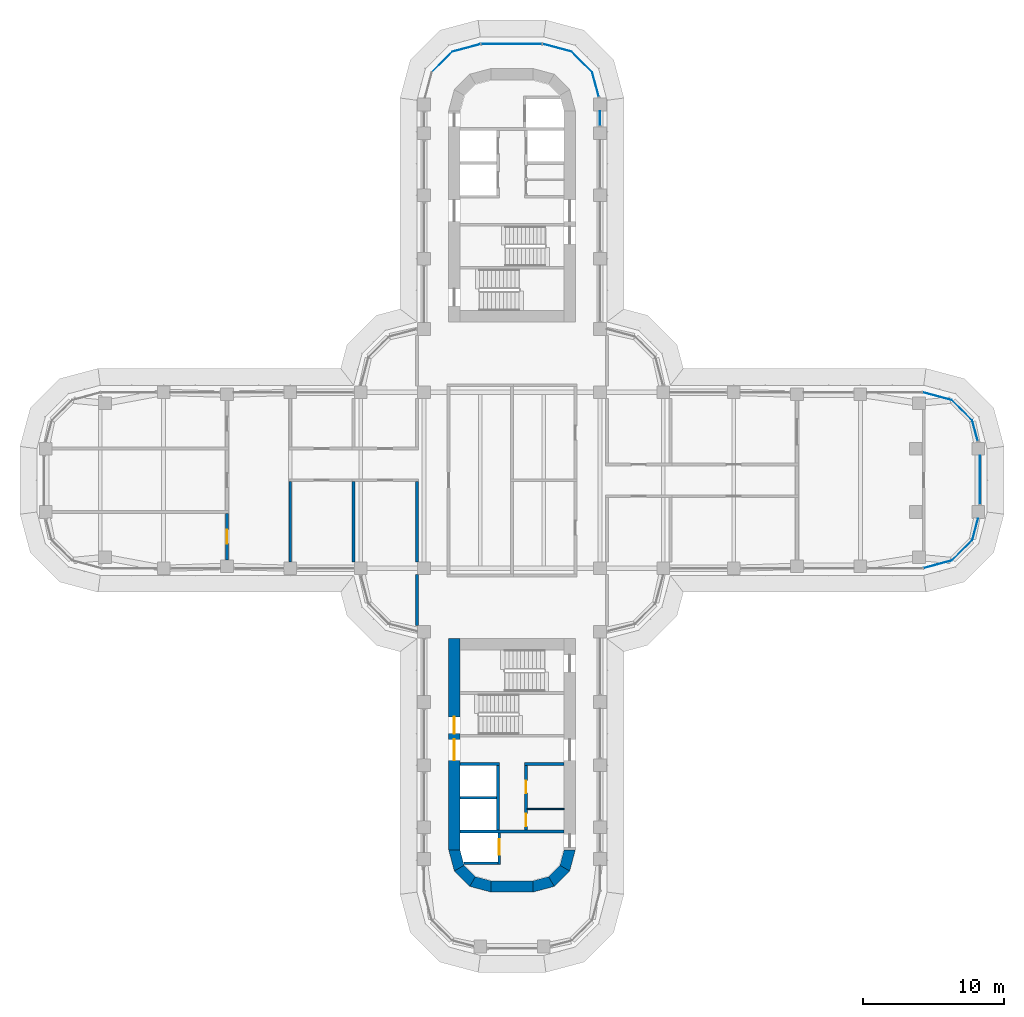
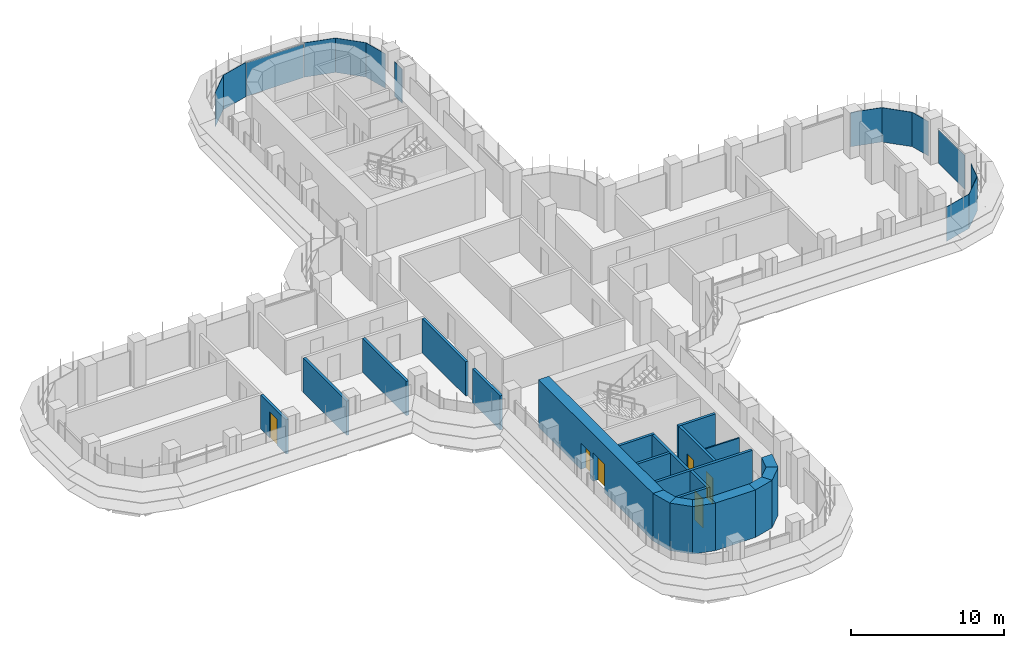
# One storey, part 15 of 22: 22 walls, 14 plates, 6 doors, 6 openings, 14 elements without a shape of their own.
"""IFC4 building model written with IfcOpenShell, lengths in metres."""

from ifc_helpers import new_model, si_unit, direction, frame, frame_2d, origin, place, context, subcontext, project, spatial, polyline, rectangle, outline, extrude, source, transform, mapped, material, layer, layer_set, type_object, element, fill, aggregate, save


model = new_model("IFC4")

# Units and contexts
model_context = context("Model", 3, precision=1e-05, world=origin(), true_north=direction((0.0, 1.0)))
body_context = subcontext(model_context, "Body", "Model", "MODEL_VIEW")
ifc_project = project(units=[si_unit("LENGTHUNIT", "METRE"), si_unit("AREAUNIT", "SQUARE_METRE"), si_unit("VOLUMEUNIT", "CUBIC_METRE"), si_unit("PLANEANGLEUNIT", "RADIAN"), si_unit("MASSUNIT", "GRAM", prefix="KILO")], contexts=[model_context])

# Site, building, storey
site_placement = place(None, origin())
site = spatial("IfcSite", under=ifc_project, at=site_placement, CompositionType="ELEMENT")
building_placement = place(site_placement, origin())
building = spatial("IfcBuilding", under=site, at=building_placement, Name="Zarbagh Exchange Tower", CompositionType="ELEMENT")
storey_placement = place(building_placement, frame((0.0, 0.0, 101.800048828125)))
storey = spatial("IfcBuildingStorey", under=building, at=storey_placement, Name="L23", CompositionType="ELEMENT", Elevation=101.800048828125)

# Curtain wall, plate
ifc_material_1 = material(Name="Anodised aluminium frame and glazing", Category="aluminium")
curtain_wall_type = type_object("IfcCurtainWallType", Name="CWA Ribbon glazing, lower zones", PredefinedType="NOTDEFINED", material=ifc_material_1)
curtain_wall_1_placement = place(storey_placement, origin())
curtain_wall_1 = element("IfcCurtainWall", 1, at=curtain_wall_1_placement, inside=storey, type_object=curtain_wall_type, Name="CWA13 curtain wall", PredefinedType="NOTDEFINED")
ifc_material_2 = material(Name="Low-e double glazed unit, 6+12+6 mm")
ifc_layer_1 = layer(ifc_material_2, 0.028076171875)
ifc_layer_set_1 = layer_set([ifc_layer_1], Name="PAA Glazing panel, Low-e double glazed unit, 6+12+6 mm")
plate_type = type_object("IfcPlateType", Name="PAA Glazing panel, Low-e double glazed unit, 6+12+6 mm", PredefinedType="CURTAIN_PANEL", material=ifc_layer_set_1)
shared_shape_1 = source(origin(), body_context, "Body", "SweptSolid", [
    extrude(outline(polyline([(0.0, -0.013916015625), (1.494140625, -0.013916015625), (1.494140625, 0.013916015625), (0.0, 0.013916015625), (0.0, -0.013916015625)])), origin(), (0.0, 0.0, 1.0), 2.75),
])
placement = place(storey_placement, origin())
plate_1 = element("IfcPlate", 2, at=placement, type_object=plate_type, Name="CWA13 glazing panel 1.1", PredefinedType="CURTAIN_PANEL", context=body_context, shape_type="MappedRepresentation", body=[
    mapped(shared_shape_1, transform((33.08544921875, 2.7978515625, 0.0), x_axis=(-0.258824779902, 0.965924289636, 0.0), y_axis=(-0.965924289636, -0.258824779902, 0.0), z_axis=(0.0, 0.0, 1.0))),
])
aggregate(curtain_wall_1, [plate_1])

curtain_wall_2_placement = place(storey_placement, origin())
curtain_wall_2 = element("IfcCurtainWall", 3, at=curtain_wall_2_placement, inside=storey, type_object=curtain_wall_type, Name="CWA10 curtain wall", PredefinedType="NOTDEFINED")
shared_shape_2 = source(origin(), body_context, "Body", "SweptSolid", [
    extrude(outline(polyline([(0.0, -0.013916015625), (2.061279296875, -0.013916015625), (2.061279296875, 0.013916015625), (0.0, 0.013916015625), (0.0, -0.013916015625)])), origin(), (0.0, 0.0, 1.0), 2.75),
])
plate_2 = element("IfcPlate", 4, at=placement, type_object=plate_type, Name="CWA10 glazing panel 1.1", PredefinedType="CURTAIN_PANEL", context=body_context, shape_type="MappedRepresentation", body=[
    mapped(shared_shape_2, transform((31.2412109375, -5.69873046875, 0.0), x_axis=(0.707106781187, 0.707106781187, 0.0), y_axis=(-0.707106781187, 0.707106781187, 0.0), z_axis=(0.0, 0.0, 1.0))),
])
aggregate(curtain_wall_2, [plate_2])

curtain_wall_3_placement = place(storey_placement, origin())
curtain_wall_3 = element("IfcCurtainWall", 5, at=curtain_wall_3_placement, inside=storey, type_object=curtain_wall_type, Name="CWA14 curtain wall", PredefinedType="NOTDEFINED")
plate_3 = element("IfcPlate", 6, at=placement, type_object=plate_type, Name="CWA14 glazing panel 1.1", PredefinedType="CURTAIN_PANEL", context=body_context, shape_type="MappedRepresentation", body=[
    mapped(shared_shape_2, transform((32.69873046875, 4.2412109375, 0.0), x_axis=(-0.707106781187, 0.707106781187, 0.0), y_axis=(-0.707106781187, -0.707106781187, 0.0), z_axis=(0.0, 0.0, 1.0))),
])
aggregate(curtain_wall_3, [plate_3])

curtain_wall_4_placement = place(storey_placement, origin())
curtain_wall_4 = element("IfcCurtainWall", 7, at=curtain_wall_4_placement, inside=storey, type_object=curtain_wall_type, Name="CWA51 curtain wall", PredefinedType="NOTDEFINED")
plate_4 = element("IfcPlate", 8, at=placement, type_object=plate_type, Name="CWA51 glazing panel 1.1", PredefinedType="CURTAIN_PANEL", context=body_context, shape_type="MappedRepresentation", body=[
    mapped(shared_shape_2, transform((5.69873046875, 28.9912109375, 0.0), x_axis=(-0.707106781187, 0.707106781187, 0.0), y_axis=(-0.707106781187, -0.707106781187, 0.0), z_axis=(0.0, 0.0, 1.0))),
])
aggregate(curtain_wall_4, [plate_4])

curtain_wall_5_placement = place(storey_placement, origin())
curtain_wall_5 = element("IfcCurtainWall", 9, at=curtain_wall_5_placement, inside=storey, type_object=curtain_wall_type, Name="CWA54 curtain wall", PredefinedType="NOTDEFINED")
plate_5 = element("IfcPlate", 10, at=placement, type_object=plate_type, Name="CWA54 glazing panel 1.1", PredefinedType="CURTAIN_PANEL", context=body_context, shape_type="MappedRepresentation", body=[
    mapped(shared_shape_2, transform((-4.2412109375, 30.44873046875, 0.0), x_axis=(-0.707106781187, -0.707106781187, 0.0), y_axis=(0.707106781187, -0.707106781187, 0.0), z_axis=(0.0, 0.0, 1.0))),
])
aggregate(curtain_wall_5, [plate_5])

curtain_wall_6_placement = place(storey_placement, origin())
curtain_wall_6 = element("IfcCurtainWall", 11, at=curtain_wall_6_placement, inside=storey, type_object=curtain_wall_type, Name="CWA15 curtain wall", PredefinedType="NOTDEFINED")
shared_shape_3 = source(origin(), body_context, "Body", "SweptSolid", [
    extrude(outline(polyline([(0.0, -0.013916015625), (2.129638671875, -0.013916015625), (2.129638671875, 0.013916015625), (0.0, 0.013916015625), (0.0, -0.013916015625)])), origin(), (0.0, 0.0, 1.0), 2.75),
])
plate_6 = element("IfcPlate", 12, at=placement, type_object=plate_type, Name="CWA15 glazing panel 1.1", PredefinedType="CURTAIN_PANEL", context=body_context, shape_type="MappedRepresentation", body=[
    mapped(shared_shape_3, transform((31.2412109375, 5.69873046875, 0.0), x_axis=(-0.965924289636, 0.258824779902, 0.0), y_axis=(-0.258824779902, -0.965924289636, 0.0), z_axis=(0.0, 0.0, 1.0))),
])
aggregate(curtain_wall_6, [plate_6])

curtain_wall_7_placement = place(storey_placement, origin())
curtain_wall_7 = element("IfcCurtainWall", 13, at=curtain_wall_7_placement, inside=storey, type_object=curtain_wall_type, Name="CWA52 curtain wall", PredefinedType="NOTDEFINED")
plate_7 = element("IfcPlate", 14, at=placement, type_object=plate_type, Name="CWA52 glazing panel 1.1", PredefinedType="CURTAIN_PANEL", context=body_context, shape_type="MappedRepresentation", body=[
    mapped(shared_shape_3, transform((4.2412109375, 30.44873046875, 0.0), x_axis=(-0.965924289636, 0.258824779902, 0.0), y_axis=(-0.258824779902, -0.965924289636, 0.0), z_axis=(0.0, 0.0, 1.0))),
])
aggregate(curtain_wall_7, [plate_7])

curtain_wall_8_placement = place(storey_placement, origin())
curtain_wall_8 = element("IfcCurtainWall", 15, at=curtain_wall_8_placement, inside=storey, type_object=curtain_wall_type, Name="CWA09 curtain wall", PredefinedType="NOTDEFINED")
shared_shape_4 = source(origin(), body_context, "Body", "SweptSolid", [
    extrude(outline(polyline([(0.0, -0.013916015625), (2.069580078125, -0.013916015625), (2.069580078125, 0.013916015625), (0.0, 0.013916015625), (0.0, -0.013916015625)])), origin(), (0.0, 0.0, 1.0), 2.75),
])
plate_8 = element("IfcPlate", 16, at=placement, type_object=plate_type, Name="CWA09 glazing panel 1.1", PredefinedType="CURTAIN_PANEL", context=body_context, shape_type="MappedRepresentation", body=[
    mapped(shared_shape_4, transform((29.2421875, -6.234375, 0.0), x_axis=(0.965924289636, 0.258824779902, 0.0), y_axis=(-0.258824779902, 0.965924289636, 0.0), z_axis=(0.0, 0.0, 1.0))),
])
aggregate(curtain_wall_8, [plate_8])

curtain_wall_9_placement = place(storey_placement, origin())
curtain_wall_9 = element("IfcCurtainWall", 17, at=curtain_wall_9_placement, inside=storey, type_object=curtain_wall_type, Name="CWA53 curtain wall", PredefinedType="NOTDEFINED")
plate_9 = element("IfcPlate", 18, at=placement, type_object=plate_type, Name="CWA53 glazing panel 1.1", PredefinedType="CURTAIN_PANEL", context=body_context, shape_type="MappedRepresentation", body=[
    mapped(shared_shape_4, transform((-2.2421875, 30.984375, 0.0), x_axis=(-0.965924289636, -0.258824779902, 0.0), y_axis=(0.258824779902, -0.965924289636, 0.0), z_axis=(0.0, 0.0, 1.0))),
])
aggregate(curtain_wall_9, [plate_9])

curtain_wall_10_placement = place(storey_placement, origin())
curtain_wall_10 = element("IfcCurtainWall", 19, at=curtain_wall_10_placement, inside=storey, type_object=curtain_wall_type, Name="CWA11 curtain wall", PredefinedType="NOTDEFINED")
shared_shape_5 = source(origin(), body_context, "Body", "SweptSolid", [
    extrude(outline(polyline([(0.0, -0.013916015625), (1.55419921875, -0.013916015625), (1.55419921875, 0.013916015625), (0.0, 0.013916015625), (0.0, -0.013916015625)])), origin(), (0.0, 0.0, 1.0), 2.75),
])
plate_10 = element("IfcPlate", 20, at=placement, type_object=plate_type, Name="CWA11 glazing panel 1.1", PredefinedType="CURTAIN_PANEL", context=body_context, shape_type="MappedRepresentation", body=[
    mapped(shared_shape_5, transform((32.69873046875, -4.2412109375, 0.0), x_axis=(0.258824779902, 0.965924289636, 0.0), y_axis=(-0.965924289636, 0.258824779902, 0.0), z_axis=(0.0, 0.0, 1.0))),
])
aggregate(curtain_wall_10, [plate_10])

curtain_wall_11_placement = place(storey_placement, origin())
curtain_wall_11 = element("IfcCurtainWall", 21, at=curtain_wall_11_placement, inside=storey, type_object=curtain_wall_type, Name="CWA12 curtain wall", PredefinedType="NOTDEFINED")
shared_shape_6 = source(origin(), body_context, "Body", "SweptSolid", [
    extrude(outline(polyline([(0.0, -0.013916015625), (3.4599609375, -0.013916015625), (3.4599609375, 0.013916015625), (0.0, 0.013916015625), (0.0, -0.013916015625)])), origin(), (0.0, 0.0, 1.0), 2.68994140625),
])
plate_11 = element("IfcPlate", 22, at=placement, type_object=plate_type, Name="CWA12 glazing panel 1.1", PredefinedType="CURTAIN_PANEL", context=body_context, shape_type="MappedRepresentation", body=[
    mapped(shared_shape_6, transform((33.25, -1.699951171875, 0.0), x_axis=(0.0, 1.0, 0.0), y_axis=(-1.0, 0.0, 0.0), z_axis=(0.0, 0.0, 1.0))),
])
aggregate(curtain_wall_11, [plate_11])

curtain_wall_12_placement = place(storey_placement, origin())
curtain_wall_12 = element("IfcCurtainWall", 23, at=curtain_wall_12_placement, inside=storey, type_object=curtain_wall_type, Name="CWA49 curtain wall", PredefinedType="NOTDEFINED")
shared_shape_7 = source(origin(), body_context, "Body", "SweptSolid", [
    extrude(outline(polyline([(0.0, -0.013916015625), (1.010009765625, -0.013916015625), (1.010009765625, 0.013916015625), (0.0, 0.013916015625), (0.0, -0.013916015625)])), origin(), (0.0, 0.0, 1.0), 2.75),
])
plate_12 = element("IfcPlate", 24, at=placement, type_object=plate_type, Name="CWA49 glazing panel 4.1", PredefinedType="CURTAIN_PANEL", context=body_context, shape_type="MappedRepresentation", body=[
    mapped(shared_shape_7, transform((6.25, 25.199951171875, 0.0), x_axis=(0.0, 1.0, 0.0), y_axis=(-1.0, 0.0, 0.0), z_axis=(0.0, 0.0, 1.0))),
])
aggregate(curtain_wall_12, [plate_12])

curtain_wall_13_placement = place(storey_placement, origin())
curtain_wall_13 = element("IfcCurtainWall", 25, at=curtain_wall_13_placement, inside=storey, type_object=curtain_wall_type, Name="CWA50 curtain wall", PredefinedType="NOTDEFINED")
shared_shape_8 = source(origin(), body_context, "Body", "SweptSolid", [
    extrude(outline(polyline([(0.0, -0.013916015625), (1.8046875, -0.013916015625), (1.8046875, 0.013916015625), (0.0, 0.013916015625), (0.0, -0.013916015625)])), origin(), (0.0, 0.0, 1.0), 2.75),
])
plate_13 = element("IfcPlate", 26, at=placement, type_object=plate_type, Name="CWA50 glazing panel 1.1", PredefinedType="CURTAIN_PANEL", context=body_context, shape_type="MappedRepresentation", body=[
    mapped(shared_shape_8, transform((6.166015625, 27.248046875, 0.0), x_axis=(-0.258824779902, 0.965924289636, 0.0), y_axis=(-0.965924289636, -0.258824779902, 0.0), z_axis=(0.0, 0.0, 1.0))),
])
aggregate(curtain_wall_13, [plate_13])

curtain_wall_14_placement = place(storey_placement, origin())
curtain_wall_14 = element("IfcCurtainWall", 27, at=curtain_wall_14_placement, inside=storey, type_object=curtain_wall_type, Name="CWA57 curtain wall", PredefinedType="NOTDEFINED")
shared_shape_9 = source(origin(), body_context, "Body", "SweptSolid", [
    extrude(outline(polyline([(0.0, -0.013916015625), (4.308349609375, -0.013916015625), (4.308349609375, 0.013916015625), (0.0, 0.013916015625), (0.0, -0.013916015625)])), origin(), (0.0, 0.0, 1.0), 2.68994140625),
])
plate_14 = element("IfcPlate", 28, at=placement, type_object=plate_type, Name="CWA57 glazing panel 1.1", PredefinedType="CURTAIN_PANEL", context=body_context, shape_type="MappedRepresentation", body=[
    mapped(shared_shape_9, transform((2.124267578125, 31.0, 0.0), x_axis=(-1.0, 0.0, 0.0), y_axis=(0.0, -1.0, 0.0), z_axis=(0.0, 0.0, 1.0))),
])
aggregate(curtain_wall_14, [plate_14])

# Walls
ifc_material_3 = material(Name="Dense blockwork", Category="masonry")
ifc_layer_2 = layer(ifc_material_3, 0.10009765625)
ifc_layer_set_2 = layer_set([ifc_layer_2], Name="Core partition 100 mm blockwork")
wall_type_1 = type_object("IfcWallType", Name="Core partition 100 mm blockwork", PredefinedType="PARTITIONING", material=ifc_layer_set_2)
wall_1_placement = place(storey_placement, frame((3.699951171875, -23.35009765625, 0.0), z_axis=(0.0, 0.0, 1.0), x_axis=(-1.0, 0.0, 0.0)))
element("IfcWall", 29, at=wall_1_placement, inside=storey, type_object=wall_type_1, Name="South core partition wall CUT-W-500", PredefinedType="PARTITIONING", context=body_context, shape_type="SweptSolid", body=[
    extrude(rectangle(XDim=2.599853515625, YDim=0.10009765625, at=frame_2d((1.2998046875, 0.0))), origin(), (0.0, 0.0, 1.0), 3.64990234375),
])
ifc_material_4 = material(Name="Fire-rated plasterboard partition")
ifc_layer_3 = layer(ifc_material_4, 0.199951171875)
ifc_layer_set_3 = layer_set([ifc_layer_3], Name="RATED PARTITION 200")
wall_type_2 = type_object("IfcWallType", Name="RATED PARTITION 200", PredefinedType="PARTITIONING", material=ifc_layer_set_3)
wall_2_placement = place(storey_placement, frame((-6.75, -10.300048828125, 0.0), z_axis=(0.0, 0.0, 1.0), x_axis=(0.0, 1.0, 0.0)))
element("IfcWall", 30, at=wall_2_placement, inside=storey, type_object=wall_type_2, Name="Partition W-804", PredefinedType="PARTITIONING", context=body_context, shape_type="SweptSolid", body=[
    extrude(rectangle(XDim=3.60009765625, YDim=0.199951171875, at=frame_2d((1.800048828125, 0.0))), origin(), (0.0, 0.0, 1.0), 2.738037109375),
])
for number, where, z_axis, x_axis, name in (
    (31, (-6.75, -5.800048828125, 0.0), (0.0, 0.0, 1.0), (0.0, 1.0, 0.0), "Partition W-805"),
    (32, (-11.25, -5.800048828125, 0.0), (0.0, 0.0, 1.0), (0.0, 1.0, 0.0), "Partition W-834"),
    (33, (-15.75, -5.800048828125, 0.0), (0.0, 0.0, 1.0), (0.0, 1.0, 0.0), "Partition W-836"),
):
    element("IfcWall", number, at=place(storey_placement, frame(where, z_axis=z_axis, x_axis=x_axis)), inside=storey, type_object=wall_type_2, Name=name, PredefinedType="PARTITIONING", context=body_context, shape_type="SweptSolid", body=[
        extrude(rectangle(XDim=5.699951171875, YDim=0.199951171875, at=frame_2d((2.85009765625, 0.0))), origin(), (0.0, 0.0, 1.0), 2.738037109375),
    ])

# Wall, opening, door
wall_3_placement = place(storey_placement, frame((-20.25, -5.659912109375, 0.0), z_axis=(0.0, 0.0, 1.0), x_axis=(0.0, 1.0, 0.0)))
wall_3 = element("IfcWall", 34, at=wall_3_placement, inside=storey, type_object=wall_type_2, Name="Partition W-837", PredefinedType="PARTITIONING", context=body_context, shape_type="SweptSolid", body=[
    extrude(rectangle(XDim=3.309814453125, YDim=0.199951171875, at=frame_2d((1.65478515625, 0.0))), origin(), (0.0, 0.0, 1.0), 2.738037109375),
])
opening_1_placement = place(wall_3_placement, frame((1.155029296875, 0.0, 0.0)))
opening_1 = element("IfcOpeningElement", 35, at=opening_1_placement, cuts=wall_3, Name="Opening D-814", PredefinedType="OPENING", context=body_context, shape_type="SweptSolid", body=[
    extrude(rectangle(XDim=1.0, YDim=2.10009765625, at=frame_2d((0.5, 1.050048828125))), frame((0.0, 0.10986328125, 0.0), z_axis=(0.0, -1.0, 0.0), x_axis=(1.0, 0.0, 0.0)), (0.0, 0.0, 1.0), 0.219970703125),
])
ifc_material_5 = material(Name="Steel door set", Category="steel")
door_type_1 = type_object("IfcDoorType", Name="FIRE DOOR 1000 X 2100 FD30S", OperationType="NOTDEFINED", PredefinedType="DOOR", material=ifc_material_5)
door_1_placement = place(opening_1_placement, origin())
door_1 = element("IfcDoor", 36, at=door_1_placement, inside=storey, type_object=door_type_1, Name="Door D-814", OperationType="SINGLE_SWING_RIGHT", OverallHeight=2.10009765625, OverallWidth=1.0, PredefinedType="DOOR", context=body_context, shape_type="SweptSolid", body=[
    extrude(rectangle(XDim=1.0, YDim=2.10009765625, at=frame_2d((0.5, 1.050048828125))), frame((0.0, 0.02490234375, 0.0), z_axis=(0.0, -1.0, 0.0), x_axis=(1.0, 0.0, 0.0)), (0.0, 0.0, 1.0), 0.050048828125),
])
fill(opening_1, door_1)

# Walls
ifc_material_6 = material(Name="Concrete C60/75", Category="concrete")
ifc_layer_4 = layer(ifc_material_6, 0.800048828125)
ifc_layer_set_4 = layer_set([ifc_layer_4], Name="RC core corner wall 800 C60/75")
wall_type_3 = type_object("IfcWallType", Name="RC core corner wall 800 C60/75", PredefinedType="SHEAR", material=ifc_layer_set_4)
wall_4_placement = place(storey_placement, origin())
element("IfcWall", 37, at=wall_4_placement, inside=storey, type_object=wall_type_3, Name="CW4 core S corner W", PredefinedType="SHEAR", context=body_context, shape_type="SweptSolid", body=[
    extrude(outline(polyline([(-4.5, -26.25), (-4.09814453125, -27.75), (-3.4052734375, -27.35009765625), (-3.699951171875, -26.25), (-4.5, -26.25)])), origin(), (0.0, 0.0, 1.0), 3.800048828125),
])
wall_5_placement = place(storey_placement, origin())
element("IfcWall", 38, at=wall_5_placement, inside=storey, type_object=wall_type_3, Name="CW4 core S corner W", PredefinedType="SHEAR", context=body_context, shape_type="SweptSolid", body=[
    extrude(outline(polyline([(-4.09814453125, -27.75), (-3.0, -28.84814453125), (-2.60009765625, -28.1552734375), (-3.4052734375, -27.35009765625), (-4.09814453125, -27.75)])), origin(), (0.0, 0.0, 1.0), 3.800048828125),
])
wall_6_placement = place(storey_placement, origin())
element("IfcWall", 39, at=wall_6_placement, inside=storey, type_object=wall_type_3, Name="CW4 core S corner W", PredefinedType="SHEAR", context=body_context, shape_type="SweptSolid", body=[
    extrude(outline(polyline([(-3.0, -28.84814453125), (-1.5, -29.25), (-1.5, -28.449951171875), (-2.60009765625, -28.1552734375), (-3.0, -28.84814453125)])), origin(), (0.0, 0.0, 1.0), 3.800048828125),
])
wall_7_placement = place(storey_placement, origin())
element("IfcWall", 40, at=wall_7_placement, inside=storey, type_object=wall_type_3, Name="CW4 core S corner E", PredefinedType="SHEAR", context=body_context, shape_type="SweptSolid", body=[
    extrude(outline(polyline([(4.5, -26.25), (4.09814453125, -27.75), (3.4052734375, -27.35009765625), (3.699951171875, -26.25), (4.5, -26.25)])), origin(), (0.0, 0.0, 1.0), 3.800048828125),
])
wall_8_placement = place(storey_placement, origin())
element("IfcWall", 41, at=wall_8_placement, inside=storey, type_object=wall_type_3, Name="CW4 core S corner E", PredefinedType="SHEAR", context=body_context, shape_type="SweptSolid", body=[
    extrude(outline(polyline([(4.09814453125, -27.75), (3.0, -28.84814453125), (2.60009765625, -28.1552734375), (3.4052734375, -27.35009765625), (4.09814453125, -27.75)])), origin(), (0.0, 0.0, 1.0), 3.800048828125),
])
wall_9_placement = place(storey_placement, origin())
element("IfcWall", 42, at=wall_9_placement, inside=storey, type_object=wall_type_3, Name="CW4 core S corner E", PredefinedType="SHEAR", context=body_context, shape_type="SweptSolid", body=[
    extrude(outline(polyline([(3.0, -28.84814453125), (1.5, -29.25), (1.5, -28.449951171875), (2.60009765625, -28.1552734375), (3.0, -28.84814453125)])), origin(), (0.0, 0.0, 1.0), 3.800048828125),
])

# Wall, openings, doors
ifc_layer_5 = layer(ifc_material_6, 0.800048828125)
ifc_layer_set_5 = layer_set([ifc_layer_5], Name="RC core wall 800 C60/75")
wall_type_4 = type_object("IfcWallType", Name="RC core wall 800 C60/75", PredefinedType="SHEAR", material=ifc_layer_set_5)
wall_10_placement = place(storey_placement, frame((-4.10009765625, -11.25, 0.0), z_axis=(0.0, 0.0, 1.0), x_axis=(0.0, -1.0, 0.0)))
wall_10 = element("IfcWall", 43, at=wall_10_placement, inside=storey, type_object=wall_type_4, Name="CW3 core S W", PredefinedType="SHEAR", context=body_context, shape_type="SweptSolid", body=[
    extrude(rectangle(XDim=15.0, YDim=0.800048828125, at=frame_2d((7.5, 0.0))), origin(), (0.0, 0.0, 1.0), 3.800048828125),
])
opening_2_placement = place(wall_10_placement, frame((7.14990234375, 0.0, 0.0)))
opening_2 = element("IfcOpeningElement", 44, at=opening_2_placement, cuts=wall_10, Name="Opening CD1-1500", PredefinedType="OPENING", context=body_context, shape_type="SweptSolid", body=[
    extrude(rectangle(XDim=1.5, YDim=2.300048828125, at=frame_2d((0.75, 1.14990234375))), frame((0.0, 0.409912109375, 0.0), z_axis=(0.0, -1.0, 0.0), x_axis=(1.0, 0.0, 0.0)), (0.0, 0.0, 1.0), 0.820068359375),
])
opening_3_placement = place(wall_10_placement, frame((5.550048828125, 0.0, 0.0)))
opening_3 = element("IfcOpeningElement", 45, at=opening_3_placement, cuts=wall_10, Name="Opening SD1-1200", PredefinedType="OPENING", context=body_context, shape_type="SweptSolid", body=[
    extrude(rectangle(XDim=1.199951171875, YDim=2.10009765625, at=frame_2d((0.60009765625, 1.050048828125))), frame((0.0, 0.409912109375, 0.0), z_axis=(0.0, -1.0, 0.0), x_axis=(1.0, 0.0, 0.0)), (0.0, 0.0, 1.0), 0.820068359375),
])
ifc_material_7 = material(Name="Steel", Category="steel")
door_type_2 = type_object("IfcDoorType", Name="Exit stair door 1200 x 2100", OperationType="NOTDEFINED", PredefinedType="DOOR", material=ifc_material_7)
door_2_placement = place(opening_3_placement, origin())
door_2 = element("IfcDoor", 46, at=door_2_placement, inside=storey, type_object=door_type_2, Name="South core stair door ST1", OperationType="SINGLE_SWING_RIGHT", OverallHeight=2.10009765625, OverallWidth=1.199951171875, PredefinedType="DOOR", context=body_context, shape_type="SweptSolid", body=[
    extrude(rectangle(XDim=1.199951171875, YDim=2.10009765625, at=frame_2d((0.60009765625, 1.050048828125))), frame((0.0, 0.02490234375, 0.0), z_axis=(0.0, -1.0, 0.0), x_axis=(1.0, 0.0, 0.0)), (0.0, 0.0, 1.0), 0.050048828125),
])
fill(opening_3, door_2)
door_type_3 = type_object("IfcDoorType", Name="Lift lobby double door 1500 x 2300", OperationType="NOTDEFINED", PredefinedType="DOOR", material=ifc_material_7)
door_3_placement = place(opening_2_placement, origin())
door_3 = element("IfcDoor", 47, at=door_3_placement, inside=storey, type_object=door_type_3, Name="South core lift lobby door LOBBY-E", OperationType="DOUBLE_DOOR_SINGLE_SWING", OverallHeight=2.300048828125, OverallWidth=1.5, PredefinedType="DOOR", context=body_context, shape_type="SweptSolid", body=[
    extrude(rectangle(XDim=1.5, YDim=2.300048828125, at=frame_2d((0.75, 1.14990234375))), frame((0.0, 0.02490234375, 0.0), z_axis=(0.0, -1.0, 0.0), x_axis=(1.0, 0.0, 0.0)), (0.0, 0.0, 1.0), 0.050048828125),
])
fill(opening_2, door_3)

# Walls
wall_11_placement = place(storey_placement, frame((-1.5, -28.85009765625, 0.0), z_axis=(0.0, 0.0, 1.0), x_axis=(1.0, 0.0, 0.0)))
element("IfcWall", 48, at=wall_11_placement, inside=storey, type_object=wall_type_4, Name="CW3 core S outer end", PredefinedType="SHEAR", context=body_context, shape_type="SweptSolid", body=[
    extrude(rectangle(XDim=3.0, YDim=0.800048828125, at=frame_2d((1.5, 0.0))), origin(), (0.0, 0.0, 1.0), 3.800048828125),
])
ifc_layer_6 = layer(ifc_material_3, 0.199951171875)
ifc_layer_set_6 = layer_set([ifc_layer_6], Name="Shaft wall 200 mm blockwork")
wall_type_5 = type_object("IfcWallType", Name="Shaft wall 200 mm blockwork", PredefinedType="PARTITIONING", material=ifc_layer_set_6)
wall_12_placement = place(storey_placement, frame((3.699951171875, -20.14990234375, 0.0), z_axis=(0.0, 0.0, 1.0), x_axis=(-1.0, 0.0, 0.0)))
element("IfcWall", 49, at=wall_12_placement, inside=storey, type_object=wall_type_5, Name="South core shaft wall AB-W", PredefinedType="PARTITIONING", context=body_context, shape_type="SweptSolid", body=[
    extrude(rectangle(XDim=2.800048828125, YDim=0.199951171875, at=frame_2d((1.39990234375, 0.0))), origin(), (0.0, 0.0, 1.0), 3.64990234375),
])

# Wall, openings, doors
wall_13_placement = place(storey_placement, frame((1.0, -24.85009765625, 0.0), z_axis=(0.0, 0.0, 1.0), x_axis=(0.0, 1.0, 0.0)))
wall_13 = element("IfcWall", 50, at=wall_13_placement, inside=storey, type_object=wall_type_5, Name="South core shaft wall LW-W", PredefinedType="PARTITIONING", context=body_context, shape_type="SweptSolid", body=[
    extrude(rectangle(XDim=4.60009765625, YDim=0.199951171875, at=frame_2d((2.300048828125, 0.0))), origin(), (0.0, 0.0, 1.0), 3.64990234375),
])
opening_4_placement = place(wall_13_placement, frame((0.27490234375, 0.0, 0.0)))
opening_4 = element("IfcOpeningElement", 51, at=opening_4_placement, cuts=wall_13, Name="Opening CD3-900", PredefinedType="OPENING", context=body_context, shape_type="SweptSolid", body=[
    extrude(rectangle(XDim=0.89990234375, YDim=2.10009765625, at=frame_2d((0.449951171875, 1.050048828125))), frame((0.0, 0.10986328125, 0.0), z_axis=(0.0, -1.0, 0.0), x_axis=(1.0, 0.0, 0.0)), (0.0, 0.0, 1.0), 0.219970703125),
])
opening_5_placement = place(wall_13_placement, frame((2.625, 0.0, 0.0)))
opening_5 = element("IfcOpeningElement", 52, at=opening_5_placement, cuts=wall_13, Name="Opening CD3-900", PredefinedType="OPENING", context=body_context, shape_type="SweptSolid", body=[
    extrude(rectangle(XDim=0.89990234375, YDim=2.10009765625, at=frame_2d((0.449951171875, 1.050048828125))), frame((0.0, 0.10986328125, 0.0), z_axis=(0.0, -1.0, 0.0), x_axis=(1.0, 0.0, 0.0)), (0.0, 0.0, 1.0), 0.219970703125),
])
door_type_4 = type_object("IfcDoorType", Name="Core room door 900 x 2100", OperationType="NOTDEFINED", PredefinedType="DOOR", material=ifc_material_7)
door_4_placement = place(opening_4_placement, origin())
door_4 = element("IfcDoor", 53, at=door_4_placement, inside=storey, type_object=door_type_4, Name="South core Cleaner's store door RD-W-0", OperationType="SINGLE_SWING_RIGHT", OverallHeight=2.10009765625, OverallWidth=0.89990234375, PredefinedType="DOOR", context=body_context, shape_type="SweptSolid", body=[
    extrude(rectangle(XDim=0.89990234375, YDim=2.10009765625, at=frame_2d((0.449951171875, 1.050048828125))), frame((0.0, 0.02490234375, 0.0), z_axis=(0.0, -1.0, 0.0), x_axis=(1.0, 0.0, 0.0)), (0.0, 0.0, 1.0), 0.050048828125),
])
fill(opening_4, door_4)
door_5_placement = place(opening_5_placement, origin())
door_5 = element("IfcDoor", 54, at=door_5_placement, inside=storey, type_object=door_type_4, Name="South core Accessible WC door RD-W-1", OperationType="SINGLE_SWING_RIGHT", OverallHeight=2.10009765625, OverallWidth=0.89990234375, PredefinedType="DOOR", context=body_context, shape_type="SweptSolid", body=[
    extrude(rectangle(XDim=0.89990234375, YDim=2.10009765625, at=frame_2d((0.449951171875, 1.050048828125))), frame((0.0, 0.02490234375, 0.0), z_axis=(0.0, -1.0, 0.0), x_axis=(1.0, 0.0, 0.0)), (0.0, 0.0, 1.0), 0.050048828125),
])
fill(opening_5, door_5)

# Walls
wall_14_placement = place(storey_placement, frame((-0.89990234375, -20.14990234375, 0.0), z_axis=(0.0, 0.0, 1.0), x_axis=(-1.0, 0.0, 0.0)))
element("IfcWall", 55, at=wall_14_placement, inside=storey, type_object=wall_type_5, Name="South core shaft wall AB-E", PredefinedType="PARTITIONING", context=body_context, shape_type="SweptSolid", body=[
    extrude(rectangle(XDim=2.800048828125, YDim=0.199951171875, at=frame_2d((1.39990234375, 0.0))), origin(), (0.0, 0.0, 1.0), 3.64990234375),
])
wall_15_placement = place(storey_placement, frame((-1.0, -24.85009765625, 0.0), z_axis=(0.0, 0.0, 1.0), x_axis=(0.0, 1.0, 0.0)))
element("IfcWall", 56, at=wall_15_placement, inside=storey, type_object=wall_type_5, Name="South core shaft wall LW-E", PredefinedType="PARTITIONING", context=body_context, shape_type="SweptSolid", body=[
    extrude(rectangle(XDim=4.60009765625, YDim=0.199951171875, at=frame_2d((2.300048828125, 0.0))), origin(), (0.0, 0.0, 1.0), 3.64990234375),
])
wall_16_placement = place(storey_placement, frame((-1.10009765625, -22.550048828125, 0.0), z_axis=(0.0, 0.0, 1.0), x_axis=(-1.0, 0.0, 0.0)))
element("IfcWall", 57, at=wall_16_placement, inside=storey, type_object=wall_type_5, Name="South core shaft wall TR-E", PredefinedType="PARTITIONING", context=body_context, shape_type="SweptSolid", body=[
    extrude(rectangle(XDim=2.599853515625, YDim=0.199951171875, at=frame_2d((1.2998046875, 0.0))), origin(), (0.0, 0.0, 1.0), 3.64990234375),
])
ifc_material_8 = material(Name="Concrete C40/50", Category="concrete")
ifc_layer_7 = layer(ifc_material_8, 0.199951171875)
ifc_layer_set_7 = layer_set([ifc_layer_7], Name="Stair enclosure wall 200 mm RC C40/50")
wall_type_6 = type_object("IfcWallType", Name="Stair enclosure wall 200 mm RC C40/50", PredefinedType="SHEAR", material=ifc_layer_set_7)
wall_17_placement = place(storey_placement, frame((3.699951171875, -24.949951171875, 0.0), z_axis=(0.0, 0.0, 1.0), x_axis=(-1.0, 0.0, 0.0)))
element("IfcWall", 58, at=wall_17_placement, inside=storey, type_object=wall_type_6, Name="South core lift shaft wall FFA", PredefinedType="SHEAR", context=body_context, shape_type="SweptSolid", body=[
    extrude(rectangle(XDim=7.39990234375, YDim=0.199951171875, at=frame_2d((3.699951171875, 0.0))), origin(), (0.0, 0.0, 1.0), 3.64990234375),
])

# Wall, opening, door
wall_18_placement = place(storey_placement, frame((-0.89990234375, -27.300048828125, 0.0), z_axis=(0.0, 0.0, 1.0), x_axis=(0.0, 1.0, 0.0)))
wall_18 = element("IfcWall", 59, at=wall_18_placement, inside=storey, type_object=wall_type_6, Name="South core lift shaft wall FFL", PredefinedType="SHEAR", context=body_context, shape_type="SweptSolid", body=[
    extrude(rectangle(XDim=2.25, YDim=0.199951171875, at=frame_2d((1.125, 0.0))), origin(), (0.0, 0.0, 1.0), 3.64990234375),
])
opening_6_placement = place(wall_18_placement, frame((0.699951171875, 0.0, 0.0)))
opening_6 = element("IfcOpeningElement", 60, at=opening_6_placement, cuts=wall_18, Name="Opening LD-1100", PredefinedType="OPENING", context=body_context, shape_type="SweptSolid", body=[
    extrude(rectangle(XDim=1.10009765625, YDim=2.300048828125, at=frame_2d((0.550048828125, 1.14990234375))), frame((0.0, 0.10986328125, 0.0), z_axis=(0.0, -1.0, 0.0), x_axis=(1.0, 0.0, 0.0)), (0.0, 0.0, 1.0), 0.219970703125),
])
ifc_material_9 = material(Name="Stainless steel", Category="steel")
door_type_5 = type_object("IfcDoorType", Name="Lift landing door 1100 x 2300", OperationType="NOTDEFINED", PredefinedType="DOOR", material=ifc_material_9)
door_6_placement = place(opening_6_placement, origin())
door_6 = element("IfcDoor", 61, at=door_6_placement, inside=storey, type_object=door_type_5, Name="South core lift landing door LD-F", OperationType="DOUBLE_DOOR_SLIDING", OverallHeight=2.300048828125, OverallWidth=1.10009765625, PredefinedType="DOOR", context=body_context, shape_type="SweptSolid", body=[
    extrude(rectangle(XDim=1.10009765625, YDim=2.300048828125, at=frame_2d((0.550048828125, 1.14990234375))), frame((0.0, 0.02490234375, 0.0), z_axis=(0.0, -1.0, 0.0), x_axis=(1.0, 0.0, 0.0)), (0.0, 0.0, 1.0), 0.050048828125),
])
fill(opening_6, door_6)

# Wall
wall_19_placement = place(storey_placement, origin())
element("IfcWall", 62, at=wall_19_placement, inside=storey, type_object=wall_type_6, Name="South core lift shaft wall FFX", PredefinedType="SHEAR", context=body_context, shape_type="SweptSolid", body=[
    extrude(outline(polyline([(-1.0, -27.10009765625), (-3.444091796875, -27.10009765625), (-3.390380859375, -27.300048828125), (-1.0, -27.300048828125), (-1.0, -27.10009765625)])), origin(), (0.0, 0.0, 1.0), 3.64990234375),
])

save(model, "model.ifc")
